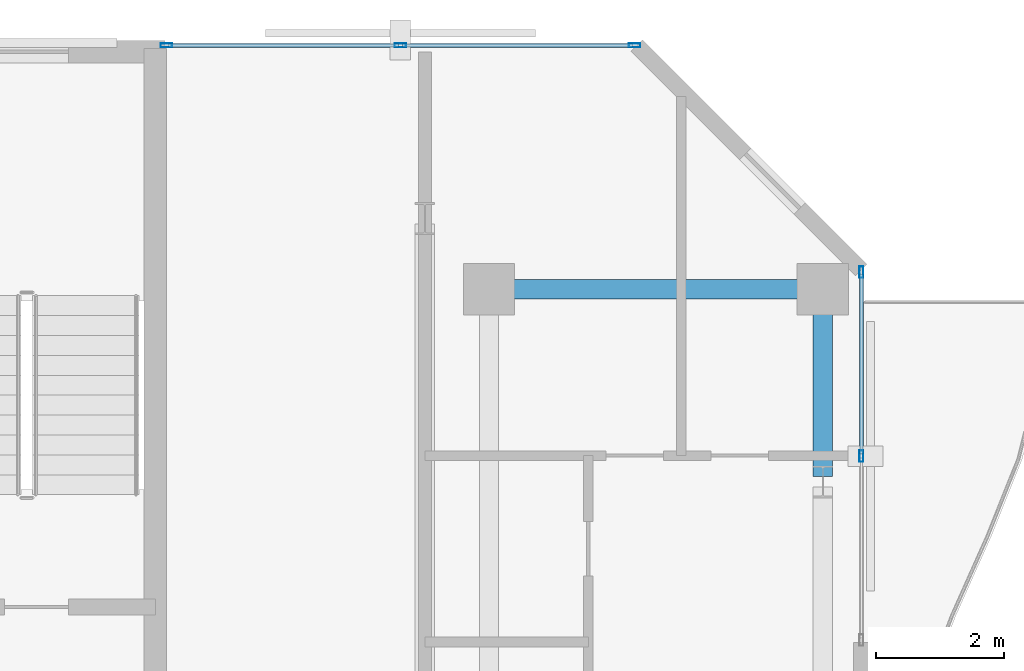
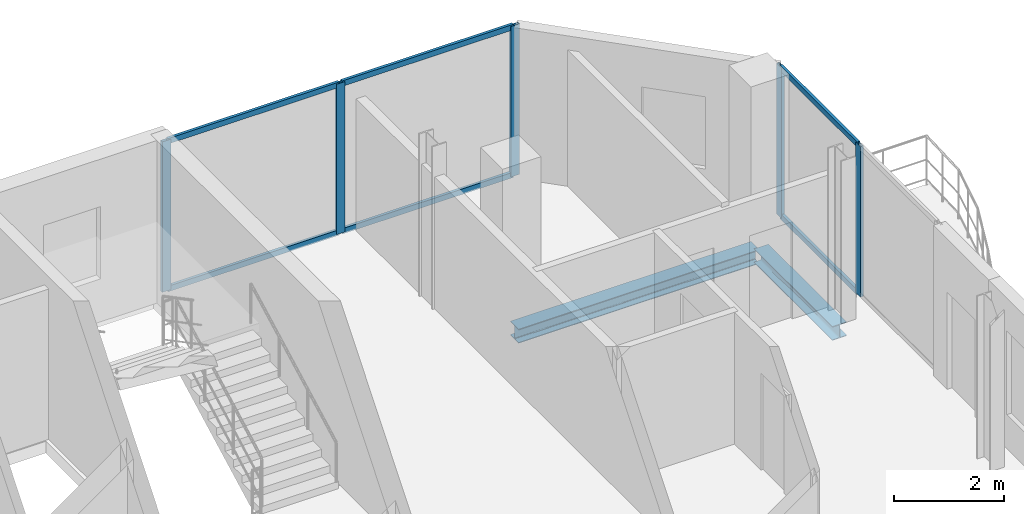
# One storey, part 16 of 23: 11 members, 2 beams, 2 elements without a shape of their own.
"""IFC4 building model written with IfcOpenShell, lengths in metres."""

from ifc_helpers import new_model, si_unit, direction, frame, origin, origin_2d, place, context, subcontext, project, spatial, hollow_rectangle, i_section, extrude, material, layer, layer_set, material_profile, profile_set, type_object, element, aggregate, save


model = new_model("IFC4")

# Units and contexts
model_context = context("Model", 3, precision=1e-05, world=origin(), true_north=direction((0.0, 1.0)))
body_context = subcontext(model_context, "Body", "Model", "MODEL_VIEW")
ifc_project = project(units=[si_unit("LENGTHUNIT", "METRE"), si_unit("AREAUNIT", "SQUARE_METRE"), si_unit("VOLUMEUNIT", "CUBIC_METRE"), si_unit("PLANEANGLEUNIT", "RADIAN"), si_unit("MASSUNIT", "GRAM", prefix="KILO")], contexts=[model_context])

# Site, building, storey
site_placement = place(None, origin())
site = spatial("IfcSite", under=ifc_project, at=site_placement, CompositionType="ELEMENT")
building_placement = place(site_placement, origin())
building = spatial("IfcBuilding", under=site, at=building_placement, Name="Catumbela Crestline Tower", CompositionType="ELEMENT")
storey_placement = place(building_placement, frame((0.0, 0.0, 168.6)))
storey = spatial("IfcBuildingStorey", under=building, at=storey_placement, Name="L43", CompositionType="ELEMENT", Elevation=168.6)

# Curtain wall, members
ifc_material_1 = material(Name="Aluminium alloy AW-6060-T66", Category="aluminium")
ifc_layer = layer(ifc_material_1, 0.18, Name="Aluminium alloy AW-6060-T66")
ifc_layer_set = layer_set([ifc_layer], Name="Aluminium alloy AW-6060-T66")
curtain_wall_type = type_object("IfcCurtainWallType", Name="CWU-Z3", PredefinedType="USERDEFINED", material=ifc_layer_set)
curtain_wall_1_placement = place(storey_placement, origin())
curtain_wall_1 = element("IfcCurtainWall", 1, at=curtain_wall_1_placement, inside=storey, type_object=curtain_wall_type, Name="L43 Unitised Curtain Wall CW-L43-E5S2", ObjectType="UNITISED", PredefinedType="USERDEFINED")
ifc_material_profile_1 = material_profile(ifc_material_1, hollow_rectangle(XDim=0.065, YDim=0.18, WallThickness=0.004, at=origin_2d()), Name="ALU 180x65x4")
ifc_profile_set_1 = profile_set([ifc_material_profile_1], Name="Aluminium alloy AW-6060-T66")
member_type_1 = type_object("IfcMemberType", Name="MUL-180X65", PredefinedType="MULLION", material=ifc_profile_set_1)
member_1_placement = place(storey_placement, frame((51.0, 36.6, 0.0), z_axis=(0.0, 0.0, 1.0), x_axis=(-1.0, 0.0, 0.0)))
member_1 = element("IfcMember", 2, at=member_1_placement, type_object=member_type_1, Name="CWU-Z3 mullion 2", PredefinedType="MULLION", context=body_context, shape_type="SweptSolid", body=[
    extrude(hollow_rectangle(XDim=0.065, YDim=0.18, WallThickness=0.004, at=origin_2d()), origin(), (0.0, 0.0, 1.0), 3.33),
])
member_2_placement = place(storey_placement, frame((51.0, 39.4675, 0.0), z_axis=(0.0, 0.0, 1.0), x_axis=(-1.0, 0.0, 0.0)))
member_2 = element("IfcMember", 3, at=member_2_placement, type_object=member_type_1, Name="CWU-Z3 mullion 3", PredefinedType="MULLION", context=body_context, shape_type="SweptSolid", body=[
    extrude(hollow_rectangle(XDim=0.065, YDim=0.18, WallThickness=0.004, at=origin_2d()), origin(), (0.0, 0.0, 1.0), 3.33),
])

curtain_wall_2_placement = place(storey_placement, origin())
curtain_wall_2 = element("IfcCurtainWall", 4, at=curtain_wall_2_placement, inside=storey, type_object=curtain_wall_type, Name="L43 Unitised Curtain Wall CW-L43-E7S1", ObjectType="UNITISED", PredefinedType="USERDEFINED")
member_3_placement = place(storey_placement, frame((47.4675, 43.0, 0.0), z_axis=(0.0, 0.0, 1.0), x_axis=(0.0, -1.0, 0.0)))
member_3 = element("IfcMember", 5, at=member_3_placement, type_object=member_type_1, Name="CWU-Z3 mullion 1", PredefinedType="MULLION", context=body_context, shape_type="SweptSolid", body=[
    extrude(hollow_rectangle(XDim=0.065, YDim=0.18, WallThickness=0.004, at=origin_2d()), origin(), (0.0, 0.0, 1.0), 3.33),
])
member_4_placement = place(storey_placement, frame((43.82, 43.0, 0.0), z_axis=(0.0, 0.0, 1.0), x_axis=(0.0, -1.0, 0.0)))
member_4 = element("IfcMember", 6, at=member_4_placement, type_object=member_type_1, Name="CWU-Z3 mullion 2", PredefinedType="MULLION", context=body_context, shape_type="SweptSolid", body=[
    extrude(hollow_rectangle(XDim=0.065, YDim=0.18, WallThickness=0.004, at=origin_2d()), origin(), (0.0, 0.0, 1.0), 3.33),
])
member_5_placement = place(storey_placement, frame((40.1725, 43.0, 0.0), z_axis=(0.0, 0.0, 1.0), x_axis=(0.0, -1.0, 0.0)))
member_5 = element("IfcMember", 7, at=member_5_placement, type_object=member_type_1, Name="CWU-Z3 mullion 3", PredefinedType="MULLION", context=body_context, shape_type="SweptSolid", body=[
    extrude(hollow_rectangle(XDim=0.065, YDim=0.18, WallThickness=0.004, at=origin_2d()), origin(), (0.0, 0.0, 1.0), 3.33),
])

# Beams
ifc_material_2 = material(Name="Structural steel S355J2", Category="steel")
ifc_material_profile_2 = material_profile(ifc_material_2, i_section(OverallWidth=0.3, OverallDepth=0.31, WebThickness=0.009, FlangeThickness=0.0155, FilletRadius=0.027, at=origin_2d()), Name="HEA 320")
ifc_profile_set_2 = profile_set([ifc_material_profile_2], Name="Structural steel S355J2")
beam_type = type_object("IfcBeamType", Name="BS-HEA320", PredefinedType="SPANDREL", material=ifc_profile_set_2)
beam_1_placement = place(storey_placement, frame((45.28, 39.2, -0.415), z_axis=(1.0, 0.0, 0.0), x_axis=(0.0, 1.0, 0.0)))
element("IfcBeam", 8, at=beam_1_placement, inside=storey, type_object=beam_type, Name="L43 Spandrel SP-L43-N13", PredefinedType="SPANDREL", context=body_context, shape_type="SweptSolid", body=[
    extrude(i_section(OverallWidth=0.3, OverallDepth=0.31, WebThickness=0.009, FlangeThickness=0.0155, FilletRadius=0.027, at=origin_2d()), origin(), (0.0, 0.0, 1.0), 5.04),
])
beam_2_placement = place(storey_placement, frame((50.4, 36.28, -0.415), z_axis=(0.0, 1.0, 0.0), x_axis=(-1.0, 0.0, 0.0)))
element("IfcBeam", 9, at=beam_2_placement, inside=storey, type_object=beam_type, Name="L43 Spandrel SP-L43-SN25", PredefinedType="SPANDREL", context=body_context, shape_type="SweptSolid", body=[
    extrude(i_section(OverallWidth=0.3, OverallDepth=0.31, WebThickness=0.009, FlangeThickness=0.0155, FilletRadius=0.027, at=origin_2d()), origin(), (0.0, 0.0, 1.0), 2.84),
])

# Member
ifc_material_profile_3 = material_profile(ifc_material_1, hollow_rectangle(XDim=0.06, YDim=0.12, WallThickness=0.0035, at=origin_2d()), Name="ALU 120x60x3.5")
ifc_profile_set_3 = profile_set([ifc_material_profile_3], Name="Aluminium alloy AW-6060-T66")
member_type_2 = type_object("IfcMemberType", Name="TRN-120X60", PredefinedType="USERDEFINED", material=ifc_profile_set_3)
member_6_placement = place(storey_placement, frame((51.0, 36.6325, 0.03), z_axis=(0.0, 1.0, 0.0), x_axis=(-1.0, 0.0, 0.0)))
member_6 = element("IfcMember", 10, at=member_6_placement, type_object=member_type_2, Name="CWU-Z3 transom 2.1", ObjectType="TRANSOM", PredefinedType="USERDEFINED", context=body_context, shape_type="SweptSolid", body=[
    extrude(hollow_rectangle(XDim=0.06, YDim=0.12, WallThickness=0.0035, at=origin_2d()), origin(), (0.0, 0.0, 1.0), 2.8025),
])

member_7_placement = place(storey_placement, frame((51.0, 36.6325, 3.3), z_axis=(0.0, 1.0, 0.0), x_axis=(-1.0, 0.0, 0.0)))
member_7 = element("IfcMember", 11, at=member_7_placement, type_object=member_type_2, Name="CWU-Z3 transom 2.2", ObjectType="TRANSOM", PredefinedType="USERDEFINED", context=body_context, shape_type="SweptSolid", body=[
    extrude(hollow_rectangle(XDim=0.06, YDim=0.12, WallThickness=0.0035, at=origin_2d()), origin(), (0.0, 0.0, 1.0), 2.8025),
])

aggregate(curtain_wall_1, [member_1, member_2, member_6, member_7])

member_8_placement = place(storey_placement, frame((47.435, 43.0, 0.03), z_axis=(-1.0, 0.0, 0.0), x_axis=(0.0, -1.0, 0.0)))
member_8 = element("IfcMember", 12, at=member_8_placement, type_object=member_type_2, Name="CWU-Z3 transom 1.1", ObjectType="TRANSOM", PredefinedType="USERDEFINED", context=body_context, shape_type="SweptSolid", body=[
    extrude(hollow_rectangle(XDim=0.06, YDim=0.12, WallThickness=0.0035, at=origin_2d()), origin(), (0.0, 0.0, 1.0), 3.5825),
])

member_9_placement = place(storey_placement, frame((47.435, 43.0, 3.3), z_axis=(-1.0, 0.0, 0.0), x_axis=(0.0, -1.0, 0.0)))
member_9 = element("IfcMember", 13, at=member_9_placement, type_object=member_type_2, Name="CWU-Z3 transom 1.2", ObjectType="TRANSOM", PredefinedType="USERDEFINED", context=body_context, shape_type="SweptSolid", body=[
    extrude(hollow_rectangle(XDim=0.06, YDim=0.12, WallThickness=0.0035, at=origin_2d()), origin(), (0.0, 0.0, 1.0), 3.5825),
])

member_10_placement = place(storey_placement, frame((43.7875, 43.0, 0.03), z_axis=(-1.0, 0.0, 0.0), x_axis=(0.0, -1.0, 0.0)))
member_10 = element("IfcMember", 14, at=member_10_placement, type_object=member_type_2, Name="CWU-Z3 transom 2.1", ObjectType="TRANSOM", PredefinedType="USERDEFINED", context=body_context, shape_type="SweptSolid", body=[
    extrude(hollow_rectangle(XDim=0.06, YDim=0.12, WallThickness=0.0035, at=origin_2d()), origin(), (0.0, 0.0, 1.0), 3.5825),
])

member_11_placement = place(storey_placement, frame((43.7875, 43.0, 3.3), z_axis=(-1.0, 0.0, 0.0), x_axis=(0.0, -1.0, 0.0)))
member_11 = element("IfcMember", 15, at=member_11_placement, type_object=member_type_2, Name="CWU-Z3 transom 2.2", ObjectType="TRANSOM", PredefinedType="USERDEFINED", context=body_context, shape_type="SweptSolid", body=[
    extrude(hollow_rectangle(XDim=0.06, YDim=0.12, WallThickness=0.0035, at=origin_2d()), origin(), (0.0, 0.0, 1.0), 3.5825),
])

aggregate(curtain_wall_2, [member_3, member_4, member_5, member_8, member_9, member_10, member_11])

save(model, "model.ifc")
